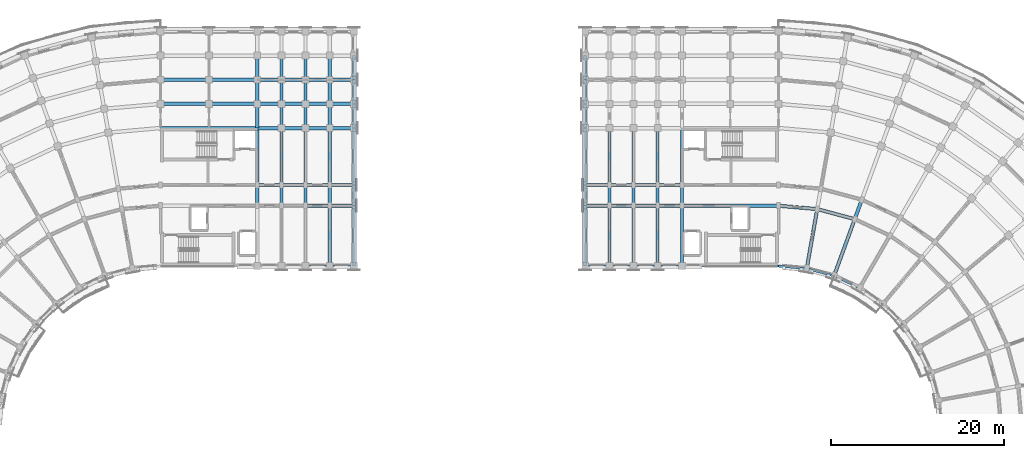
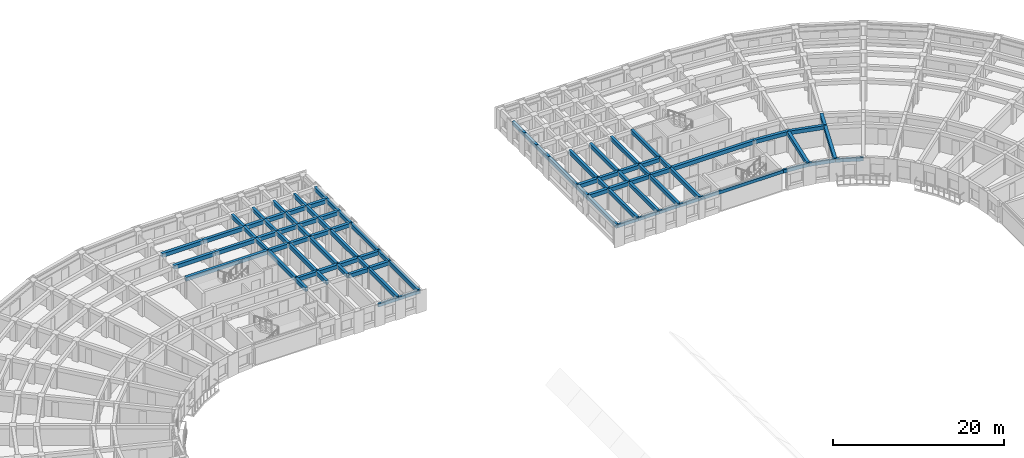
# One storey, part 9 of 54: 92 beams.
"""IFC4 building model written with IfcOpenShell, lengths in metres."""

from ifc_helpers import new_model, si_unit, direction, frame, origin, origin_2d, place, context, subcontext, project, spatial, rectangle, extrude, material, material_profile, profile_set, type_object, element, save


model = new_model("IFC4")

# Units and contexts
model_context = context("Model", 3, precision=1e-05, world=origin(), true_north=direction((0.0, 1.0)))
body_context = subcontext(model_context, "Body", "Model", "MODEL_VIEW")
ifc_project = project(units=[si_unit("LENGTHUNIT", "METRE"), si_unit("AREAUNIT", "SQUARE_METRE"), si_unit("VOLUMEUNIT", "CUBIC_METRE"), si_unit("PLANEANGLEUNIT", "RADIAN"), si_unit("MASSUNIT", "GRAM", prefix="KILO")], contexts=[model_context])

# Site, building, storey
site_placement = place(None, origin())
site = spatial("IfcSite", under=ifc_project, at=site_placement, CompositionType="ELEMENT")
building_placement = place(site_placement, origin())
building = spatial("IfcBuilding", under=site, at=building_placement, Name="Kiranvali Square Residences", CompositionType="ELEMENT")
storey_placement = place(building_placement, frame((0.0, 0.0, 11.85009765625)))
storey = spatial("IfcBuildingStorey", under=building, at=storey_placement, Name="L03", CompositionType="ELEMENT", Elevation=11.85009765625)

# Beams
ifc_material_1 = material(Name="Concrete M40 (40 MPa)", Category="concrete")
ifc_material_profile_1 = material_profile(ifc_material_1, rectangle(XDim=0.35009765625, YDim=0.550048828125, at=origin_2d()), Name="RC 350x550")
ifc_profile_set_1 = profile_set([ifc_material_profile_1], Name="Concrete M40 (40 MPa)")
beam_type_1 = type_object("IfcBeamType", Name="BM-M40-350x550", PredefinedType="BEAM", material=ifc_profile_set_1)
beam_1_placement = place(storey_placement, frame((59.39990234375, 113.60009765625, 2.65478515625), z_axis=(0.0, 1.0, 0.0), x_axis=(-1.0, 0.0, 0.0)))
element("IfcBeam", 1, at=beam_1_placement, inside=storey, type_object=beam_type_1, Name="L03 beam BM-A-L03-A1T1-12", PredefinedType="BEAM", context=body_context, shape_type="SweptSolid", body=[
    extrude(rectangle(XDim=0.35009765625, YDim=0.550048828125, at=origin_2d()), origin(), (0.0, 0.0, 1.0), 2.39990234375),
])
beam_2_placement = place(storey_placement, frame((59.39990234375, 116.0, 2.65478515625), z_axis=(0.0, 1.0, 0.0), x_axis=(-1.0, 0.0, 0.0)))
element("IfcBeam", 2, at=beam_2_placement, inside=storey, type_object=beam_type_1, Name="L03 beam BM-A-L03-A1T1-23", PredefinedType="BEAM", context=body_context, shape_type="SweptSolid", body=[
    extrude(rectangle(XDim=0.35009765625, YDim=0.550048828125, at=origin_2d()), origin(), (0.0, 0.0, 1.0), 6.60009765625),
])
beam_3_placement = place(storey_placement, frame((59.39990234375, 122.60009765625, 2.65478515625), z_axis=(0.0, 1.0, 0.0), x_axis=(-1.0, 0.0, 0.0)))
element("IfcBeam", 3, at=beam_3_placement, inside=storey, type_object=beam_type_1, Name="L03 beam BM-A-L03-A1T1-34", PredefinedType="BEAM", context=body_context, shape_type="SweptSolid", body=[
    extrude(rectangle(XDim=0.35009765625, YDim=0.550048828125, at=origin_2d()), origin(), (0.0, 0.0, 1.0), 2.7998046875),
])
for number, where, z_axis, x_axis, name in (
    (4, (59.39990234375, 125.39990234375, 2.65478515625), (0.0, 1.0, 0.0), (-1.0, 0.0, 0.0), "L03 beam BM-A-L03-A1T1-45"),
    (5, (59.39990234375, 128.199951171875, 2.65478515625), (0.0, 1.0, 0.0), (-1.0, 0.0, 0.0), "L03 beam BM-A-L03-A1T1-56"),
):
    element("IfcBeam", number, at=place(storey_placement, frame(where, z_axis=z_axis, x_axis=x_axis)), inside=storey, type_object=beam_type_1, Name=name, PredefinedType="BEAM", context=body_context, shape_type="SweptSolid", body=[
        extrude(rectangle(XDim=0.35009765625, YDim=0.550048828125, at=origin_2d()), origin(), (0.0, 0.0, 1.0), 2.800048828125),
    ])
beam_4_placement = place(storey_placement, frame((62.199951171875, 113.60009765625, 2.65478515625), z_axis=(0.0, 1.0, 0.0), x_axis=(-1.0, 0.0, 0.0)))
element("IfcBeam", 6, at=beam_4_placement, inside=storey, type_object=beam_type_1, Name="L03 beam BM-A-L03-A1T2-12", PredefinedType="BEAM", context=body_context, shape_type="SweptSolid", body=[
    extrude(rectangle(XDim=0.35009765625, YDim=0.550048828125, at=origin_2d()), origin(), (0.0, 0.0, 1.0), 2.39990234375),
])
beam_5_placement = place(storey_placement, frame((62.199951171875, 116.0, 2.65478515625), z_axis=(0.0, 1.0, 0.0), x_axis=(-1.0, 0.0, 0.0)))
element("IfcBeam", 7, at=beam_5_placement, inside=storey, type_object=beam_type_1, Name="L03 beam BM-A-L03-A1T2-23", PredefinedType="BEAM", context=body_context, shape_type="SweptSolid", body=[
    extrude(rectangle(XDim=0.35009765625, YDim=0.550048828125, at=origin_2d()), origin(), (0.0, 0.0, 1.0), 6.60009765625),
])
beam_6_placement = place(storey_placement, frame((62.199951171875, 122.60009765625, 2.65478515625), z_axis=(0.0, 1.0, 0.0), x_axis=(-1.0, 0.0, 0.0)))
element("IfcBeam", 8, at=beam_6_placement, inside=storey, type_object=beam_type_1, Name="L03 beam BM-A-L03-A1T2-34", PredefinedType="BEAM", context=body_context, shape_type="SweptSolid", body=[
    extrude(rectangle(XDim=0.35009765625, YDim=0.550048828125, at=origin_2d()), origin(), (0.0, 0.0, 1.0), 2.7998046875),
])
for number, where, z_axis, x_axis, name in (
    (9, (62.199951171875, 125.39990234375, 2.65478515625), (0.0, 1.0, 0.0), (-1.0, 0.0, 0.0), "L03 beam BM-A-L03-A1T2-45"),
    (10, (62.199951171875, 128.199951171875, 2.65478515625), (0.0, 1.0, 0.0), (-1.0, 0.0, 0.0), "L03 beam BM-A-L03-A1T2-56"),
):
    element("IfcBeam", number, at=place(storey_placement, frame(where, z_axis=z_axis, x_axis=x_axis)), inside=storey, type_object=beam_type_1, Name=name, PredefinedType="BEAM", context=body_context, shape_type="SweptSolid", body=[
        extrude(rectangle(XDim=0.35009765625, YDim=0.550048828125, at=origin_2d()), origin(), (0.0, 0.0, 1.0), 2.800048828125),
    ])
beam_7_placement = place(storey_placement, frame((65.0, 113.60009765625, 2.65478515625), z_axis=(0.0, 1.0, 0.0), x_axis=(-1.0, 0.0, 0.0)))
element("IfcBeam", 11, at=beam_7_placement, inside=storey, type_object=beam_type_1, Name="L03 beam BM-A-L03-A1T3-12", PredefinedType="BEAM", context=body_context, shape_type="SweptSolid", body=[
    extrude(rectangle(XDim=0.35009765625, YDim=0.550048828125, at=origin_2d()), origin(), (0.0, 0.0, 1.0), 2.39990234375),
])
beam_8_placement = place(storey_placement, frame((65.0, 116.0, 2.65478515625), z_axis=(0.0, 1.0, 0.0), x_axis=(-1.0, 0.0, 0.0)))
element("IfcBeam", 12, at=beam_8_placement, inside=storey, type_object=beam_type_1, Name="L03 beam BM-A-L03-A1T3-23", PredefinedType="BEAM", context=body_context, shape_type="SweptSolid", body=[
    extrude(rectangle(XDim=0.35009765625, YDim=0.550048828125, at=origin_2d()), origin(), (0.0, 0.0, 1.0), 6.60009765625),
])
beam_9_placement = place(storey_placement, frame((65.0, 122.60009765625, 2.65478515625), z_axis=(0.0, 1.0, 0.0), x_axis=(-1.0, 0.0, 0.0)))
element("IfcBeam", 13, at=beam_9_placement, inside=storey, type_object=beam_type_1, Name="L03 beam BM-A-L03-A1T3-34", PredefinedType="BEAM", context=body_context, shape_type="SweptSolid", body=[
    extrude(rectangle(XDim=0.35009765625, YDim=0.550048828125, at=origin_2d()), origin(), (0.0, 0.0, 1.0), 2.7998046875),
])
for number, where, z_axis, x_axis, name in (
    (14, (65.0, 125.39990234375, 2.65478515625), (0.0, 1.0, 0.0), (-1.0, 0.0, 0.0), "L03 beam BM-A-L03-A1T3-45"),
    (15, (65.0, 128.199951171875, 2.65478515625), (0.0, 1.0, 0.0), (-1.0, 0.0, 0.0), "L03 beam BM-A-L03-A1T3-56"),
):
    element("IfcBeam", number, at=place(storey_placement, frame(where, z_axis=z_axis, x_axis=x_axis)), inside=storey, type_object=beam_type_1, Name=name, PredefinedType="BEAM", context=body_context, shape_type="SweptSolid", body=[
        extrude(rectangle(XDim=0.35009765625, YDim=0.550048828125, at=origin_2d()), origin(), (0.0, 0.0, 1.0), 2.800048828125),
    ])
beam_10_placement = place(storey_placement, frame((67.800048828125, 106.60009765625, 2.65478515625), z_axis=(0.0, 1.0, 0.0), x_axis=(-1.0, 0.0, 0.0)))
element("IfcBeam", 16, at=beam_10_placement, inside=storey, type_object=beam_type_1, Name="L03 beam BM-A-L03-A1T4-01", PredefinedType="BEAM", context=body_context, shape_type="SweptSolid", body=[
    extrude(rectangle(XDim=0.35009765625, YDim=0.550048828125, at=origin_2d()), origin(), (0.0, 0.0, 1.0), 7.0),
])
beam_11_placement = place(storey_placement, frame((67.800048828125, 113.60009765625, 2.65478515625), z_axis=(0.0, 1.0, 0.0), x_axis=(-1.0, 0.0, 0.0)))
element("IfcBeam", 17, at=beam_11_placement, inside=storey, type_object=beam_type_1, Name="L03 beam BM-A-L03-A1T4-12", PredefinedType="BEAM", context=body_context, shape_type="SweptSolid", body=[
    extrude(rectangle(XDim=0.35009765625, YDim=0.550048828125, at=origin_2d()), origin(), (0.0, 0.0, 1.0), 2.39990234375),
])
beam_12_placement = place(storey_placement, frame((67.800048828125, 116.0, 2.65478515625), z_axis=(0.0, 1.0, 0.0), x_axis=(-1.0, 0.0, 0.0)))
element("IfcBeam", 18, at=beam_12_placement, inside=storey, type_object=beam_type_1, Name="L03 beam BM-A-L03-A1T4-23", PredefinedType="BEAM", context=body_context, shape_type="SweptSolid", body=[
    extrude(rectangle(XDim=0.35009765625, YDim=0.550048828125, at=origin_2d()), origin(), (0.0, 0.0, 1.0), 6.60009765625),
])
beam_13_placement = place(storey_placement, frame((67.800048828125, 122.60009765625, 2.65478515625), z_axis=(0.0, 1.0, 0.0), x_axis=(-1.0, 0.0, 0.0)))
element("IfcBeam", 19, at=beam_13_placement, inside=storey, type_object=beam_type_1, Name="L03 beam BM-A-L03-A1T4-34", PredefinedType="BEAM", context=body_context, shape_type="SweptSolid", body=[
    extrude(rectangle(XDim=0.35009765625, YDim=0.550048828125, at=origin_2d()), origin(), (0.0, 0.0, 1.0), 2.7998046875),
])
for number, where, z_axis, x_axis, name in (
    (20, (67.800048828125, 125.39990234375, 2.65478515625), (0.0, 1.0, 0.0), (-1.0, 0.0, 0.0), "L03 beam BM-A-L03-A1T4-45"),
    (21, (67.800048828125, 128.199951171875, 2.65478515625), (0.0, 1.0, 0.0), (-1.0, 0.0, 0.0), "L03 beam BM-A-L03-A1T4-56"),
):
    element("IfcBeam", number, at=place(storey_placement, frame(where, z_axis=z_axis, x_axis=x_axis)), inside=storey, type_object=beam_type_1, Name=name, PredefinedType="BEAM", context=body_context, shape_type="SweptSolid", body=[
        extrude(rectangle(XDim=0.35009765625, YDim=0.550048828125, at=origin_2d()), origin(), (0.0, 0.0, 1.0), 2.800048828125),
    ])
beam_14_placement = place(storey_placement, frame((70.60009765625, 106.60009765625, 2.65478515625), z_axis=(0.0, 1.0, 0.0), x_axis=(-1.0, 0.0, 0.0)))
element("IfcBeam", 22, at=beam_14_placement, inside=storey, type_object=beam_type_1, Name="L03 beam BM-A-L03-A1T5-01", PredefinedType="BEAM", context=body_context, shape_type="SweptSolid", body=[
    extrude(rectangle(XDim=0.35009765625, YDim=0.550048828125, at=origin_2d()), origin(), (0.0, 0.0, 1.0), 7.0),
])
beam_15_placement = place(storey_placement, frame((70.60009765625, 113.60009765625, 2.65478515625), z_axis=(0.0, 1.0, 0.0), x_axis=(-1.0, 0.0, 0.0)))
element("IfcBeam", 23, at=beam_15_placement, inside=storey, type_object=beam_type_1, Name="L03 beam BM-A-L03-A1T5-12", PredefinedType="BEAM", context=body_context, shape_type="SweptSolid", body=[
    extrude(rectangle(XDim=0.35009765625, YDim=0.550048828125, at=origin_2d()), origin(), (0.0, 0.0, 1.0), 2.39990234375),
])
beam_16_placement = place(storey_placement, frame((70.60009765625, 116.0, 2.65478515625), z_axis=(0.0, 1.0, 0.0), x_axis=(-1.0, 0.0, 0.0)))
element("IfcBeam", 24, at=beam_16_placement, inside=storey, type_object=beam_type_1, Name="L03 beam BM-A-L03-A1T5-23", PredefinedType="BEAM", context=body_context, shape_type="SweptSolid", body=[
    extrude(rectangle(XDim=0.35009765625, YDim=0.550048828125, at=origin_2d()), origin(), (0.0, 0.0, 1.0), 6.60009765625),
])
beam_17_placement = place(storey_placement, frame((70.60009765625, 122.60009765625, 2.65478515625), z_axis=(0.0, 1.0, 0.0), x_axis=(-1.0, 0.0, 0.0)))
element("IfcBeam", 25, at=beam_17_placement, inside=storey, type_object=beam_type_1, Name="L03 beam BM-A-L03-A1T5-34", PredefinedType="BEAM", context=body_context, shape_type="SweptSolid", body=[
    extrude(rectangle(XDim=0.35009765625, YDim=0.550048828125, at=origin_2d()), origin(), (0.0, 0.0, 1.0), 2.7998046875),
])
for number, where, z_axis, x_axis, name in (
    (26, (70.60009765625, 125.39990234375, 2.65478515625), (0.0, 1.0, 0.0), (-1.0, 0.0, 0.0), "L03 beam BM-A-L03-A1T5-45"),
    (27, (70.60009765625, 128.199951171875, 2.65478515625), (0.0, 1.0, 0.0), (-1.0, 0.0, 0.0), "L03 beam BM-A-L03-A1T5-56"),
):
    element("IfcBeam", number, at=place(storey_placement, frame(where, z_axis=z_axis, x_axis=x_axis)), inside=storey, type_object=beam_type_1, Name=name, PredefinedType="BEAM", context=body_context, shape_type="SweptSolid", body=[
        extrude(rectangle(XDim=0.35009765625, YDim=0.550048828125, at=origin_2d()), origin(), (0.0, 0.0, 1.0), 2.800048828125),
    ])
beam_18_placement = place(storey_placement, frame((108.60009765625, 106.60009765625, 2.65478515625), z_axis=(0.0, 1.0, 0.0), x_axis=(-1.0, 0.0, 0.0)))
element("IfcBeam", 28, at=beam_18_placement, inside=storey, type_object=beam_type_1, Name="L03 beam BM-B-L03-A1T1-01", PredefinedType="BEAM", context=body_context, shape_type="SweptSolid", body=[
    extrude(rectangle(XDim=0.35009765625, YDim=0.550048828125, at=origin_2d()), origin(), (0.0, 0.0, 1.0), 7.0),
])
beam_19_placement = place(storey_placement, frame((108.60009765625, 113.60009765625, 2.65478515625), z_axis=(0.0, 1.0, 0.0), x_axis=(-1.0, 0.0, 0.0)))
element("IfcBeam", 29, at=beam_19_placement, inside=storey, type_object=beam_type_1, Name="L03 beam BM-B-L03-A1T1-12", PredefinedType="BEAM", context=body_context, shape_type="SweptSolid", body=[
    extrude(rectangle(XDim=0.35009765625, YDim=0.550048828125, at=origin_2d()), origin(), (0.0, 0.0, 1.0), 2.39990234375),
])
beam_20_placement = place(storey_placement, frame((108.60009765625, 116.0, 2.65478515625), z_axis=(0.0, 1.0, 0.0), x_axis=(-1.0, 0.0, 0.0)))
element("IfcBeam", 30, at=beam_20_placement, inside=storey, type_object=beam_type_1, Name="L03 beam BM-B-L03-A1T1-23", PredefinedType="BEAM", context=body_context, shape_type="SweptSolid", body=[
    extrude(rectangle(XDim=0.35009765625, YDim=0.550048828125, at=origin_2d()), origin(), (0.0, 0.0, 1.0), 6.60009765625),
])
beam_21_placement = place(storey_placement, frame((105.800048828125, 106.60009765625, 2.65478515625), z_axis=(0.0, 1.0, 0.0), x_axis=(-1.0, 0.0, 0.0)))
element("IfcBeam", 31, at=beam_21_placement, inside=storey, type_object=beam_type_1, Name="L03 beam BM-B-L03-A1T2-01", PredefinedType="BEAM", context=body_context, shape_type="SweptSolid", body=[
    extrude(rectangle(XDim=0.35009765625, YDim=0.550048828125, at=origin_2d()), origin(), (0.0, 0.0, 1.0), 7.0),
])
beam_22_placement = place(storey_placement, frame((105.800048828125, 113.60009765625, 2.65478515625), z_axis=(0.0, 1.0, 0.0), x_axis=(-1.0, 0.0, 0.0)))
element("IfcBeam", 32, at=beam_22_placement, inside=storey, type_object=beam_type_1, Name="L03 beam BM-B-L03-A1T2-12", PredefinedType="BEAM", context=body_context, shape_type="SweptSolid", body=[
    extrude(rectangle(XDim=0.35009765625, YDim=0.550048828125, at=origin_2d()), origin(), (0.0, 0.0, 1.0), 2.39990234375),
])
beam_23_placement = place(storey_placement, frame((105.800048828125, 116.0, 2.65478515625), z_axis=(0.0, 1.0, 0.0), x_axis=(-1.0, 0.0, 0.0)))
element("IfcBeam", 33, at=beam_23_placement, inside=storey, type_object=beam_type_1, Name="L03 beam BM-B-L03-A1T2-23", PredefinedType="BEAM", context=body_context, shape_type="SweptSolid", body=[
    extrude(rectangle(XDim=0.35009765625, YDim=0.550048828125, at=origin_2d()), origin(), (0.0, 0.0, 1.0), 6.60009765625),
])
beam_24_placement = place(storey_placement, frame((103.0, 106.60009765625, 2.65478515625), z_axis=(0.0, 1.0, 0.0), x_axis=(-1.0, 0.0, 0.0)))
element("IfcBeam", 34, at=beam_24_placement, inside=storey, type_object=beam_type_1, Name="L03 beam BM-B-L03-A1T3-01", PredefinedType="BEAM", context=body_context, shape_type="SweptSolid", body=[
    extrude(rectangle(XDim=0.35009765625, YDim=0.550048828125, at=origin_2d()), origin(), (0.0, 0.0, 1.0), 7.0),
])
beam_25_placement = place(storey_placement, frame((103.0, 113.60009765625, 2.65478515625), z_axis=(0.0, 1.0, 0.0), x_axis=(-1.0, 0.0, 0.0)))
element("IfcBeam", 35, at=beam_25_placement, inside=storey, type_object=beam_type_1, Name="L03 beam BM-B-L03-A1T3-12", PredefinedType="BEAM", context=body_context, shape_type="SweptSolid", body=[
    extrude(rectangle(XDim=0.35009765625, YDim=0.550048828125, at=origin_2d()), origin(), (0.0, 0.0, 1.0), 2.39990234375),
])
beam_26_placement = place(storey_placement, frame((103.0, 116.0, 2.65478515625), z_axis=(0.0, 1.0, 0.0), x_axis=(-1.0, 0.0, 0.0)))
element("IfcBeam", 36, at=beam_26_placement, inside=storey, type_object=beam_type_1, Name="L03 beam BM-B-L03-A1T3-23", PredefinedType="BEAM", context=body_context, shape_type="SweptSolid", body=[
    extrude(rectangle(XDim=0.35009765625, YDim=0.550048828125, at=origin_2d()), origin(), (0.0, 0.0, 1.0), 6.60009765625),
])
beam_27_placement = place(storey_placement, frame((100.199951171875, 106.60009765625, 2.65478515625), z_axis=(0.0, 1.0, 0.0), x_axis=(-1.0, 0.0, 0.0)))
element("IfcBeam", 37, at=beam_27_placement, inside=storey, type_object=beam_type_1, Name="L03 beam BM-B-L03-A1T4-01", PredefinedType="BEAM", context=body_context, shape_type="SweptSolid", body=[
    extrude(rectangle(XDim=0.35009765625, YDim=0.550048828125, at=origin_2d()), origin(), (0.0, 0.0, 1.0), 7.0),
])
beam_28_placement = place(storey_placement, frame((100.199951171875, 113.60009765625, 2.65478515625), z_axis=(0.0, 1.0, 0.0), x_axis=(-1.0, 0.0, 0.0)))
element("IfcBeam", 38, at=beam_28_placement, inside=storey, type_object=beam_type_1, Name="L03 beam BM-B-L03-A1T4-12", PredefinedType="BEAM", context=body_context, shape_type="SweptSolid", body=[
    extrude(rectangle(XDim=0.35009765625, YDim=0.550048828125, at=origin_2d()), origin(), (0.0, 0.0, 1.0), 2.39990234375),
])
beam_29_placement = place(storey_placement, frame((100.199951171875, 116.0, 2.65478515625), z_axis=(0.0, 1.0, 0.0), x_axis=(-1.0, 0.0, 0.0)))
element("IfcBeam", 39, at=beam_29_placement, inside=storey, type_object=beam_type_1, Name="L03 beam BM-B-L03-A1T4-23", PredefinedType="BEAM", context=body_context, shape_type="SweptSolid", body=[
    extrude(rectangle(XDim=0.35009765625, YDim=0.550048828125, at=origin_2d()), origin(), (0.0, 0.0, 1.0), 6.60009765625),
])
beam_30_placement = place(storey_placement, frame((97.39990234375, 106.60009765625, 2.65478515625), z_axis=(0.0, 1.0, 0.0), x_axis=(-1.0, 0.0, 0.0)))
element("IfcBeam", 40, at=beam_30_placement, inside=storey, type_object=beam_type_1, Name="L03 beam BM-B-L03-A1T5-01", PredefinedType="BEAM", context=body_context, shape_type="SweptSolid", body=[
    extrude(rectangle(XDim=0.35009765625, YDim=0.550048828125, at=origin_2d()), origin(), (0.0, 0.0, 1.0), 7.0),
])
beam_31_placement = place(storey_placement, frame((97.39990234375, 113.60009765625, 2.65478515625), z_axis=(0.0, 1.0, 0.0), x_axis=(-1.0, 0.0, 0.0)))
element("IfcBeam", 41, at=beam_31_placement, inside=storey, type_object=beam_type_1, Name="L03 beam BM-B-L03-A1T5-12", PredefinedType="BEAM", context=body_context, shape_type="SweptSolid", body=[
    extrude(rectangle(XDim=0.35009765625, YDim=0.550048828125, at=origin_2d()), origin(), (0.0, 0.0, 1.0), 2.39990234375),
])
beam_32_placement = place(storey_placement, frame((97.39990234375, 116.0, 2.65478515625), z_axis=(0.0, 1.0, 0.0), x_axis=(-1.0, 0.0, 0.0)))
element("IfcBeam", 42, at=beam_32_placement, inside=storey, type_object=beam_type_1, Name="L03 beam BM-B-L03-A1T5-23", PredefinedType="BEAM", context=body_context, shape_type="SweptSolid", body=[
    extrude(rectangle(XDim=0.35009765625, YDim=0.550048828125, at=origin_2d()), origin(), (0.0, 0.0, 1.0), 6.60009765625),
])
beam_33_placement = place(storey_placement, frame((97.39990234375, 122.60009765625, 2.65478515625), z_axis=(0.0, 1.0, 0.0), x_axis=(-1.0, 0.0, 0.0)))
element("IfcBeam", 43, at=beam_33_placement, inside=storey, type_object=beam_type_1, Name="L03 beam BM-B-L03-A1T5-34", PredefinedType="BEAM", context=body_context, shape_type="SweptSolid", body=[
    extrude(rectangle(XDim=0.35009765625, YDim=0.550048828125, at=origin_2d()), origin(), (0.0, 0.0, 1.0), 2.7998046875),
])
for number, where, z_axis, x_axis, name in (
    (44, (97.39990234375, 125.39990234375, 2.65478515625), (0.0, 1.0, 0.0), (-1.0, 0.0, 0.0), "L03 beam BM-B-L03-A1T5-45"),
    (45, (97.39990234375, 128.199951171875, 2.65478515625), (0.0, 1.0, 0.0), (-1.0, 0.0, 0.0), "L03 beam BM-B-L03-A1T5-56"),
):
    element("IfcBeam", number, at=place(storey_placement, frame(where, z_axis=z_axis, x_axis=x_axis)), inside=storey, type_object=beam_type_1, Name=name, PredefinedType="BEAM", context=body_context, shape_type="SweptSolid", body=[
        extrude(rectangle(XDim=0.35009765625, YDim=0.550048828125, at=origin_2d()), origin(), (0.0, 0.0, 1.0), 2.800048828125),
    ])
ifc_material_2 = material(Name="Concrete M45 (45 MPa)", Category="concrete")
ifc_material_profile_2 = material_profile(ifc_material_2, rectangle(XDim=0.39990234375, YDim=0.550048828125, at=origin_2d()), Name="RC 400x550")
ifc_profile_set_2 = profile_set([ifc_material_profile_2], Name="Concrete M45 (45 MPa)")
beam_type_2 = type_object("IfcBeamType", Name="BM-M45-400x550", PredefinedType="BEAM", material=ifc_profile_set_2)
for number, where, z_axis, x_axis, name in (
    (46, (65.0, 113.60009765625, 2.65478515625), (1.0, 0.0, 0.0), (0.0, 1.0, 0.0), "L03 beam BM-A-L03-A1U3-R1"),
    (47, (67.800048828125, 113.60009765625, 2.65478515625), (1.0, 0.0, 0.0), (0.0, 1.0, 0.0), "L03 beam BM-A-L03-A1U4-R1"),
    (48, (59.39990234375, 116.0, 2.65478515625), (1.0, 0.0, 0.0), (0.0, 1.0, 0.0), "L03 beam BM-A-L03-A1U1-R2"),
    (49, (62.199951171875, 116.0, 2.65478515625), (1.0, 0.0, 0.0), (0.0, 1.0, 0.0), "L03 beam BM-A-L03-A1U2-R2"),
    (50, (65.0, 116.0, 2.65478515625), (1.0, 0.0, 0.0), (0.0, 1.0, 0.0), "L03 beam BM-A-L03-A1U3-R2"),
    (51, (67.800048828125, 116.0, 2.65478515625), (1.0, 0.0, 0.0), (0.0, 1.0, 0.0), "L03 beam BM-A-L03-A1U4-R2"),
):
    element("IfcBeam", number, at=place(storey_placement, frame(where, z_axis=z_axis, x_axis=x_axis)), inside=storey, type_object=beam_type_2, Name=name, PredefinedType="BEAM", context=body_context, shape_type="SweptSolid", body=[
        extrude(rectangle(XDim=0.39990234375, YDim=0.550048828125, at=origin_2d()), origin(), (0.0, 0.0, 1.0), 2.800048828125),
    ])
beam_34_placement = place(storey_placement, frame((48.199951171875, 122.60009765625, 2.65478515625), z_axis=(1.0, 0.0, 0.0), x_axis=(0.0, 1.0, 0.0)))
element("IfcBeam", 52, at=beam_34_placement, inside=storey, type_object=beam_type_2, Name="L03 beam BM-A-L03-A1U0-R3", PredefinedType="BEAM", context=body_context, shape_type="SweptSolid", body=[
    extrude(rectangle(XDim=0.39990234375, YDim=0.550048828125, at=origin_2d()), origin(), (0.0, 0.0, 1.0), 11.199951171875),
])
for number, where, z_axis, x_axis, name in (
    (53, (59.39990234375, 122.60009765625, 2.65478515625), (1.0, 0.0, 0.0), (0.0, 1.0, 0.0), "L03 beam BM-A-L03-A1U1-R3"),
    (54, (62.199951171875, 122.60009765625, 2.65478515625), (1.0, 0.0, 0.0), (0.0, 1.0, 0.0), "L03 beam BM-A-L03-A1U2-R3"),
    (55, (65.0, 122.60009765625, 2.65478515625), (1.0, 0.0, 0.0), (0.0, 1.0, 0.0), "L03 beam BM-A-L03-A1U3-R3"),
    (56, (67.800048828125, 122.60009765625, 2.65478515625), (1.0, 0.0, 0.0), (0.0, 1.0, 0.0), "L03 beam BM-A-L03-A1U4-R3"),
):
    element("IfcBeam", number, at=place(storey_placement, frame(where, z_axis=z_axis, x_axis=x_axis)), inside=storey, type_object=beam_type_2, Name=name, PredefinedType="BEAM", context=body_context, shape_type="SweptSolid", body=[
        extrude(rectangle(XDim=0.39990234375, YDim=0.550048828125, at=origin_2d()), origin(), (0.0, 0.0, 1.0), 2.800048828125),
    ])
beam_35_placement = place(storey_placement, frame((48.199951171875, 125.39990234375, 2.65478515625), z_axis=(1.0, 0.0, 0.0), x_axis=(0.0, 1.0, 0.0)))
element("IfcBeam", 57, at=beam_35_placement, inside=storey, type_object=beam_type_2, Name="L03 beam BM-A-L03-A1U0-R4", PredefinedType="BEAM", context=body_context, shape_type="SweptSolid", body=[
    extrude(rectangle(XDim=0.39990234375, YDim=0.550048828125, at=origin_2d()), origin(), (0.0, 0.0, 1.0), 5.60009765625),
])
beam_36_placement = place(storey_placement, frame((53.800048828125, 125.39990234375, 2.65478515625), z_axis=(1.0, 0.0, 0.0), x_axis=(0.0, 1.0, 0.0)))
element("IfcBeam", 58, at=beam_36_placement, inside=storey, type_object=beam_type_2, Name="L03 beam BM-A-L03-A1U1-R4", PredefinedType="BEAM", context=body_context, shape_type="SweptSolid", body=[
    extrude(rectangle(XDim=0.39990234375, YDim=0.550048828125, at=origin_2d()), origin(), (0.0, 0.0, 1.0), 5.599853515625),
])
for number, where, z_axis, x_axis, name in (
    (59, (59.39990234375, 125.39990234375, 2.65478515625), (1.0, 0.0, 0.0), (0.0, 1.0, 0.0), "L03 beam BM-A-L03-A1U2-R4"),
    (60, (62.199951171875, 125.39990234375, 2.65478515625), (1.0, 0.0, 0.0), (0.0, 1.0, 0.0), "L03 beam BM-A-L03-A1U3-R4"),
    (61, (65.0, 125.39990234375, 2.65478515625), (1.0, 0.0, 0.0), (0.0, 1.0, 0.0), "L03 beam BM-A-L03-A1U4-R4"),
    (62, (67.800048828125, 125.39990234375, 2.65478515625), (1.0, 0.0, 0.0), (0.0, 1.0, 0.0), "L03 beam BM-A-L03-A1U5-R4"),
):
    element("IfcBeam", number, at=place(storey_placement, frame(where, z_axis=z_axis, x_axis=x_axis)), inside=storey, type_object=beam_type_2, Name=name, PredefinedType="BEAM", context=body_context, shape_type="SweptSolid", body=[
        extrude(rectangle(XDim=0.39990234375, YDim=0.550048828125, at=origin_2d()), origin(), (0.0, 0.0, 1.0), 2.800048828125),
    ])
beam_37_placement = place(storey_placement, frame((48.199951171875, 128.199951171875, 2.65478515625), z_axis=(1.0, 0.0, 0.0), x_axis=(0.0, 1.0, 0.0)))
element("IfcBeam", 63, at=beam_37_placement, inside=storey, type_object=beam_type_2, Name="L03 beam BM-A-L03-A1U0-R5", PredefinedType="BEAM", context=body_context, shape_type="SweptSolid", body=[
    extrude(rectangle(XDim=0.39990234375, YDim=0.550048828125, at=origin_2d()), origin(), (0.0, 0.0, 1.0), 5.60009765625),
])
beam_38_placement = place(storey_placement, frame((53.800048828125, 128.199951171875, 2.65478515625), z_axis=(1.0, 0.0, 0.0), x_axis=(0.0, 1.0, 0.0)))
element("IfcBeam", 64, at=beam_38_placement, inside=storey, type_object=beam_type_2, Name="L03 beam BM-A-L03-A1U1-R5", PredefinedType="BEAM", context=body_context, shape_type="SweptSolid", body=[
    extrude(rectangle(XDim=0.39990234375, YDim=0.550048828125, at=origin_2d()), origin(), (0.0, 0.0, 1.0), 5.599853515625),
])
for number, where, z_axis, x_axis, name in (
    (65, (59.39990234375, 128.199951171875, 2.65478515625), (1.0, 0.0, 0.0), (0.0, 1.0, 0.0), "L03 beam BM-A-L03-A1U2-R5"),
    (66, (62.199951171875, 128.199951171875, 2.65478515625), (1.0, 0.0, 0.0), (0.0, 1.0, 0.0), "L03 beam BM-A-L03-A1U3-R5"),
    (67, (65.0, 128.199951171875, 2.65478515625), (1.0, 0.0, 0.0), (0.0, 1.0, 0.0), "L03 beam BM-A-L03-A1U4-R5"),
    (68, (67.800048828125, 128.199951171875, 2.65478515625), (1.0, 0.0, 0.0), (0.0, 1.0, 0.0), "L03 beam BM-A-L03-A1U5-R5"),
):
    element("IfcBeam", number, at=place(storey_placement, frame(where, z_axis=z_axis, x_axis=x_axis)), inside=storey, type_object=beam_type_2, Name=name, PredefinedType="BEAM", context=body_context, shape_type="SweptSolid", body=[
        extrude(rectangle(XDim=0.39990234375, YDim=0.550048828125, at=origin_2d()), origin(), (0.0, 0.0, 1.0), 2.800048828125),
    ])
beam_39_placement = place(storey_placement, frame((119.800048828125, 113.60009765625, 2.65478515625), z_axis=(0.996191949488, -0.087187153726, 0.0), x_axis=(0.087187153726, 0.996191949488, 0.0)))
element("IfcBeam", 69, at=beam_39_placement, inside=storey, type_object=beam_type_2, Name="L03 beam BM-B-L03-C00-R1", PredefinedType="BEAM", context=body_context, shape_type="SweptSolid", body=[
    extrude(rectangle(XDim=0.39990234375, YDim=0.550048828125, at=origin_2d()), origin(), (0.0, 0.0, 1.0), 4.4970703125),
])
beam_40_placement = place(storey_placement, frame((124.280029296875, 113.2080078125, 2.65478515625), z_axis=(0.965934240054, -0.258787642463, 0.0), x_axis=(0.258787642463, 0.965934240054, 0.0)))
element("IfcBeam", 70, at=beam_40_placement, inside=storey, type_object=beam_type_2, Name="L03 beam BM-B-L03-C01-R1", PredefinedType="BEAM", context=body_context, shape_type="SweptSolid", body=[
    extrude(rectangle(XDim=0.39990234375, YDim=0.550048828125, at=origin_2d()), origin(), (0.0, 0.0, 1.0), 4.497314453125),
])
beam_41_placement = place(storey_placement, frame((123.064697265625, 106.314453125, 2.65478515625), z_axis=(0.173622177865, 0.984812337125, 0.0), x_axis=(-0.984812337125, 0.173622177865, 0.0)))
element("IfcBeam", 71, at=beam_41_placement, inside=storey, type_object=beam_type_2, Name="L03 beam BM-B-L03-RAD01-01", PredefinedType="BEAM", context=body_context, shape_type="SweptSolid", body=[
    extrude(rectangle(XDim=0.39990234375, YDim=0.550048828125, at=origin_2d()), origin(), (0.0, 0.0, 1.0), 6.999755859375),
])
beam_42_placement = place(storey_placement, frame((126.22998046875, 105.46630859375, 2.65478515625), z_axis=(0.342006283793, 0.939697665127, 0.0), x_axis=(-0.939697665127, 0.342006283793, 0.0)))
element("IfcBeam", 72, at=beam_42_placement, inside=storey, type_object=beam_type_2, Name="L03 beam BM-B-L03-RAD02-01", PredefinedType="BEAM", context=body_context, shape_type="SweptSolid", body=[
    extrude(rectangle(XDim=0.39990234375, YDim=0.550048828125, at=origin_2d()), origin(), (0.0, 0.0, 1.0), 7.0),
])
beam_43_placement = place(storey_placement, frame((128.6240234375, 112.044189453125, 2.65478515625), z_axis=(0.342110593602, 0.939659694648, 0.0), x_axis=(-0.939659694648, 0.342110593602, 0.0)))
element("IfcBeam", 73, at=beam_43_placement, inside=storey, type_object=beam_type_2, Name="L03 beam BM-B-L03-RAD02-12", PredefinedType="BEAM", context=body_context, shape_type="SweptSolid", body=[
    extrude(rectangle(XDim=0.39990234375, YDim=0.550048828125, at=origin_2d()), origin(), (0.0, 0.0, 1.0), 2.39990234375),
])
beam_44_placement = place(storey_placement, frame((119.800048828125, 113.60009765625, 2.65478515625), z_axis=(-1.0, 0.0, 0.0), x_axis=(0.0, -1.0, 0.0)))
element("IfcBeam", 74, at=beam_44_placement, inside=storey, type_object=beam_type_2, Name="L03 beam BM-B-L03-A1U0-R1", PredefinedType="BEAM", context=body_context, shape_type="SweptSolid", body=[
    extrude(rectangle(XDim=0.39990234375, YDim=0.550048828125, at=origin_2d()), origin(), (0.0, 0.0, 1.0), 11.199951171875),
])
for number, where, z_axis, x_axis, name in (
    (75, (108.60009765625, 113.60009765625, 2.65478515625), (-1.0, 0.0, 0.0), (0.0, -1.0, 0.0), "L03 beam BM-B-L03-A1U1-R1"),
    (76, (105.800048828125, 113.60009765625, 2.65478515625), (-1.0, 0.0, 0.0), (0.0, -1.0, 0.0), "L03 beam BM-B-L03-A1U2-R1"),
    (77, (103.0, 113.60009765625, 2.65478515625), (-1.0, 0.0, 0.0), (0.0, -1.0, 0.0), "L03 beam BM-B-L03-A1U3-R1"),
    (78, (100.199951171875, 113.60009765625, 2.65478515625), (-1.0, 0.0, 0.0), (0.0, -1.0, 0.0), "L03 beam BM-B-L03-A1U4-R1"),
    (79, (108.60009765625, 116.0, 2.65478515625), (-1.0, 0.0, 0.0), (0.0, -1.0, 0.0), "L03 beam BM-B-L03-A1U1-R2"),
    (80, (105.800048828125, 116.0, 2.65478515625), (-1.0, 0.0, 0.0), (0.0, -1.0, 0.0), "L03 beam BM-B-L03-A1U2-R2"),
    (81, (103.0, 116.0, 2.65478515625), (-1.0, 0.0, 0.0), (0.0, -1.0, 0.0), "L03 beam BM-B-L03-A1U3-R2"),
    (82, (100.199951171875, 116.0, 2.65478515625), (-1.0, 0.0, 0.0), (0.0, -1.0, 0.0), "L03 beam BM-B-L03-A1U4-R2"),
):
    element("IfcBeam", number, at=place(storey_placement, frame(where, z_axis=z_axis, x_axis=x_axis)), inside=storey, type_object=beam_type_2, Name=name, PredefinedType="BEAM", context=body_context, shape_type="SweptSolid", body=[
        extrude(rectangle(XDim=0.39990234375, YDim=0.550048828125, at=origin_2d()), origin(), (0.0, 0.0, 1.0), 2.800048828125),
    ])
ifc_material_profile_3 = material_profile(ifc_material_1, rectangle(XDim=0.25, YDim=0.449951171875, at=origin_2d()), Name="RC 250x450")
ifc_profile_set_3 = profile_set([ifc_material_profile_3], Name="Concrete M40 (40 MPa)")
beam_type_3 = type_object("IfcBeamType", Name="SPN-M40-250x450", PredefinedType="SPANDREL", material=ifc_profile_set_3)
for number, where, z_axis, x_axis, name in (
    (83, (65.0, 106.60009765625, 2.704833984375), (1.0, 0.0, 0.0), (0.0, 1.0, 0.0), "L03 beam BM-A-L03-A1U3-R0"),
    (84, (67.800048828125, 106.60009765625, 2.704833984375), (1.0, 0.0, 0.0), (0.0, 1.0, 0.0), "L03 beam BM-A-L03-A1U4-R0"),
):
    element("IfcBeam", number, at=place(storey_placement, frame(where, z_axis=z_axis, x_axis=x_axis)), inside=storey, type_object=beam_type_3, Name=name, PredefinedType="SPANDREL", context=body_context, shape_type="SweptSolid", body=[
        extrude(rectangle(XDim=0.25, YDim=0.449951171875, at=origin_2d()), origin(), (0.0, 0.0, 1.0), 2.800048828125),
    ])
beam_45_placement = place(storey_placement, frame((119.800048828125, 106.60009765625, 2.704833984375), z_axis=(-1.0, 0.0, 0.0), x_axis=(0.0, -1.0, 0.0)))
element("IfcBeam", 85, at=beam_45_placement, inside=storey, type_object=beam_type_3, Name="L03 beam BM-B-L03-A1U0-R0", PredefinedType="SPANDREL", context=body_context, shape_type="SweptSolid", body=[
    extrude(rectangle(XDim=0.25, YDim=0.449951171875, at=origin_2d()), origin(), (0.0, 0.0, 1.0), 11.199951171875),
])
for number, where, z_axis, x_axis, name in (
    (86, (108.60009765625, 106.60009765625, 2.704833984375), (-1.0, 0.0, 0.0), (0.0, -1.0, 0.0), "L03 beam BM-B-L03-A1U1-R0"),
    (87, (105.800048828125, 106.60009765625, 2.704833984375), (-1.0, 0.0, 0.0), (0.0, -1.0, 0.0), "L03 beam BM-B-L03-A1U2-R0"),
    (88, (103.0, 106.60009765625, 2.704833984375), (-1.0, 0.0, 0.0), (0.0, -1.0, 0.0), "L03 beam BM-B-L03-A1U3-R0"),
    (89, (100.199951171875, 106.60009765625, 2.704833984375), (-1.0, 0.0, 0.0), (0.0, -1.0, 0.0), "L03 beam BM-B-L03-A1U4-R0"),
):
    element("IfcBeam", number, at=place(storey_placement, frame(where, z_axis=z_axis, x_axis=x_axis)), inside=storey, type_object=beam_type_3, Name=name, PredefinedType="SPANDREL", context=body_context, shape_type="SweptSolid", body=[
        extrude(rectangle(XDim=0.25, YDim=0.449951171875, at=origin_2d()), origin(), (0.0, 0.0, 1.0), 2.800048828125),
    ])
ifc_material_profile_4 = material_profile(ifc_material_1, rectangle(XDim=0.25, YDim=0.5, at=origin_2d()), Name="RC 250x500")
ifc_profile_set_4 = profile_set([ifc_material_profile_4], Name="Concrete M40 (40 MPa)")
beam_type_4 = type_object("IfcBeamType", Name="SPN-M40-250x500", PredefinedType="SPANDREL", material=ifc_profile_set_4)
beam_46_placement = place(storey_placement, frame((119.800048828125, 106.60009765625, 2.679931640625), z_axis=(0.996194040944, -0.087163253657, 0.0), x_axis=(0.087163253657, 0.996194040944, 0.0)))
element("IfcBeam", 90, at=beam_46_placement, inside=storey, type_object=beam_type_4, Name="L03 beam BM-B-L03-C00-R0", PredefinedType="SPANDREL", context=body_context, shape_type="SweptSolid", body=[
    extrude(rectangle(XDim=0.25, YDim=0.5, at=origin_2d()), origin(), (0.0, 0.0, 1.0), 3.277099609375),
])
beam_47_placement = place(storey_placement, frame((123.064697265625, 106.314453125, 2.679931640625), z_axis=(0.965925105099, -0.258821736607, 0.0), x_axis=(0.258821736607, 0.965925105099, 0.0)))
element("IfcBeam", 91, at=beam_47_placement, inside=storey, type_object=beam_type_4, Name="L03 beam BM-B-L03-C01-R0", PredefinedType="SPANDREL", context=body_context, shape_type="SweptSolid", body=[
    extrude(rectangle(XDim=0.25, YDim=0.5, at=origin_2d()), origin(), (0.0, 0.0, 1.0), 3.27685546875),
])
beam_48_placement = place(storey_placement, frame((126.22998046875, 105.46630859375, 2.679931640625), z_axis=(0.90629730464, -0.422640740585, 0.0), x_axis=(0.422640740585, 0.90629730464, 0.0)))
element("IfcBeam", 92, at=beam_48_placement, inside=storey, type_object=beam_type_4, Name="L03 beam BM-B-L03-C02-R0", PredefinedType="SPANDREL", context=body_context, shape_type="SweptSolid", body=[
    extrude(rectangle(XDim=0.25, YDim=0.5, at=origin_2d()), origin(), (0.0, 0.0, 1.0), 3.277099609375),
])

save(model, "model.ifc")
